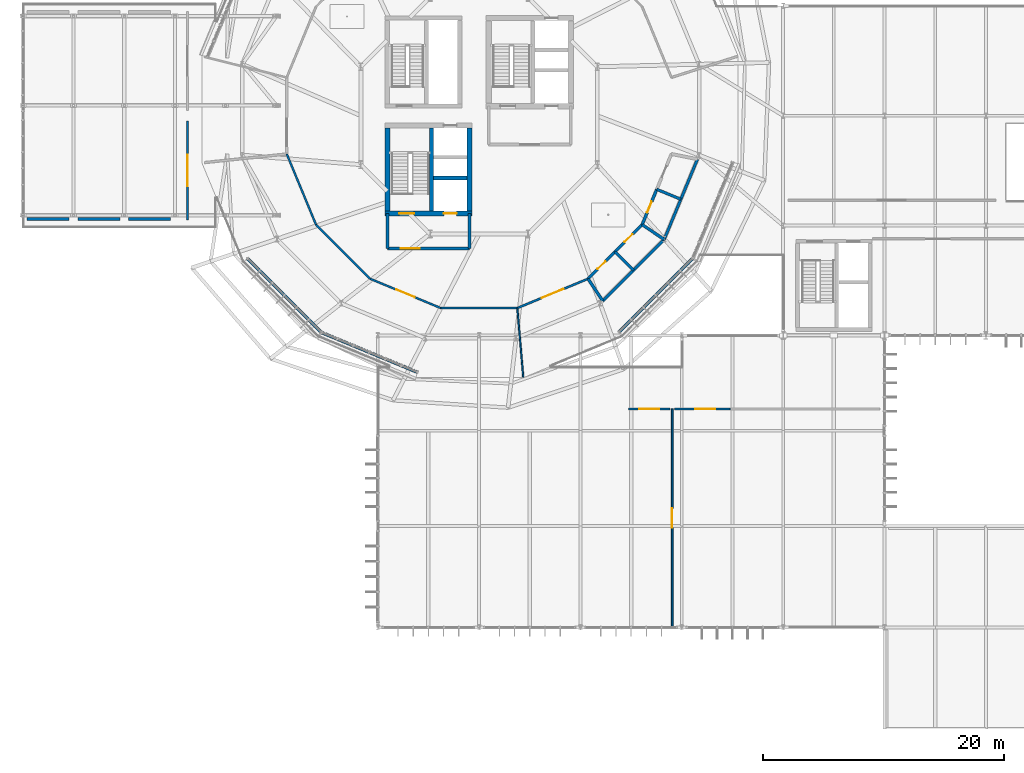
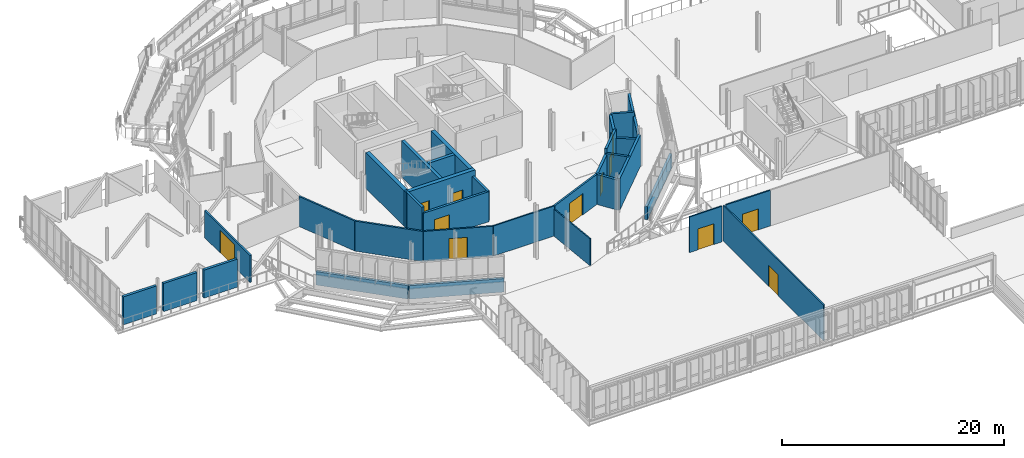
# One storey, part 86 of 107: 33 walls, 12 doors, 12 openings.
"""IFC4 building model written with IfcOpenShell, lengths in metres."""

from ifc_helpers import new_model, si_unit, derived_unit, direction, frame, frame_2d, origin, place, context, subcontext, project, spatial, rectangle, extrude, material, layer, layer_set, type_object, element, fill, save


model = new_model("IFC4")

# Units and contexts
model_context = context("Model", 3, precision=1e-05, world=origin(), true_north=direction((0.0, 1.0)))
body_context = subcontext(model_context, "Body", "Model", "MODEL_VIEW")
ifc_project = project(units=[si_unit("LENGTHUNIT", "METRE"), si_unit("AREAUNIT", "SQUARE_METRE"), si_unit("VOLUMEUNIT", "CUBIC_METRE"), si_unit("PLANEANGLEUNIT", "RADIAN"), si_unit("MASSUNIT", "GRAM", prefix="KILO"), derived_unit("THERMALTRANSMITTANCEUNIT", [(si_unit("MASSUNIT", "GRAM", prefix="KILO"), 1), (si_unit("TIMEUNIT", "SECOND"), -3), (si_unit("THERMODYNAMICTEMPERATUREUNIT", "KELVIN"), -1)])], contexts=[model_context])

# Site, building, storey
site_placement = place(None, origin())
site = spatial("IfcSite", under=ifc_project, at=site_placement, CompositionType="ELEMENT")
building_placement = place(site_placement, origin())
building = spatial("IfcBuilding", under=site, at=building_placement, Name="Makaiwela Harbour Ferry Terminal", CompositionType="ELEMENT")
storey_placement = place(building_placement, frame((0.0, 0.0, 9.60009765625)))
storey = spatial("IfcBuildingStorey", under=building, at=storey_placement, Name="L02", CompositionType="ELEMENT", Elevation=9.60009765625)

# Walls
ifc_material_1 = material(Name="Precast concrete f'c 40 MPa (6000 psi)", Category="concrete")
ifc_layer_1 = layer(ifc_material_1, 0.260009765625)
ifc_layer_set_1 = layer_set([ifc_layer_1], Name="Precast concrete f'c 40 MPa (6000 psi)")
wall_type_1 = type_object("IfcWallType", Name="ENV-WL-EXT260", PredefinedType="SOLIDWALL", material=ifc_layer_set_1)
wall_1_placement = place(storey_placement, frame((18.612548828125, 55.755126953125, 0.0), z_axis=(0.0, 0.0, 1.0), x_axis=(0.707106781187, -0.707106781187, 0.0)))
element("IfcWall", 1, at=wall_1_placement, inside=storey, type_object=wall_type_1, Name="Drum Spandrel Backup Wall EW-L02-09", PredefinedType="SOLIDWALL", context=body_context, shape_type="SweptSolid", body=[
    extrude(rectangle(XDim=8.60205078125, YDim=0.260009765625, at=frame_2d((4.301025390625, 0.0))), origin(), (0.0, 0.0, 1.0), 1.47998046875),
])
wall_2_placement = place(storey_placement, frame((24.743896484375, 49.639892578125, 0.0), z_axis=(0.0, 0.0, 1.0), x_axis=(0.923888503811, -0.382661773013, 0.0)))
element("IfcWall", 2, at=wall_2_placement, inside=storey, type_object=wall_type_1, Name="Drum Spandrel Backup Wall EW-L02-10", PredefinedType="SOLIDWALL", context=body_context, shape_type="SweptSolid", body=[
    extrude(rectangle(XDim=8.602294921875, YDim=0.260009765625, at=frame_2d((4.30126953125, 0.0))), origin(), (0.0, 0.0, 1.0), 1.47998046875),
])
wall_3_placement = place(storey_placement, frame((49.40478515625, 49.672607421875, 0.0), z_axis=(0.0, 0.0, 1.0), x_axis=(0.707106781187, 0.707106781187, 0.0)))
element("IfcWall", 3, at=wall_3_placement, inside=storey, type_object=wall_type_1, Name="Drum Spandrel Backup Wall EW-L02-13", PredefinedType="SOLIDWALL", context=body_context, shape_type="SweptSolid", body=[
    extrude(rectangle(XDim=8.60205078125, YDim=0.260009765625, at=frame_2d((4.301025390625, 0.0))), origin(), (0.0, 0.0, 1.0), 1.47998046875),
])
for number, where, z_axis, x_axis, name in (
    (4, (12.239990234375, 59.030029296875, 0.0), (0.0, 0.0, 1.0), (-1.0, 0.0, 0.0), "Exterior Wall EW-093"),
    (5, (8.0400390625, 59.030029296875, 0.0), (0.0, 0.0, 1.0), (-1.0, 0.0, 0.0), "Exterior Wall EW-097"),
    (6, (3.840087890625, 59.030029296875, 0.0), (0.0, 0.0, 1.0), (-1.0, 0.0, 0.0), "Exterior Wall EW-101"),
):
    element("IfcWall", number, at=place(storey_placement, frame(where, z_axis=z_axis, x_axis=x_axis)), inside=storey, type_object=wall_type_1, Name=name, PredefinedType="SOLIDWALL", context=body_context, shape_type="SweptSolid", body=[
        extrude(rectangle(XDim=3.47998046875, YDim=0.260009765625, at=frame_2d((1.739990234375, 0.0))), origin(), (0.0, 0.0, 1.0), 3.083984375),
    ])
ifc_material_2 = material(Name="Fire-rated gypsum board on steel studs", Category="steel")
ifc_layer_2 = layer(ifc_material_2, 0.1650390625)
ifc_layer_set_2 = layer_set([ifc_layer_2], Name="Fire-rated gypsum board on steel studs")
wall_type_2 = type_object("IfcWallType", Name="INT-WL-FIR165", PredefinedType="PARTITIONING", material=ifc_layer_set_2)
wall_4_placement = place(storey_placement, frame((21.8623046875, 64.4296875, 0.0), z_axis=(0.0, 0.0, 1.0), x_axis=(0.382676004295, -0.923882609284, 0.0)))
element("IfcWall", 7, at=wall_4_placement, inside=storey, type_object=wall_type_2, Name="Interior Wall IW-0305", PredefinedType="PARTITIONING", context=body_context, shape_type="SweptSolid", body=[
    extrude(rectangle(XDim=6.34033203125, YDim=0.1650390625, at=frame_2d((3.170166015625, 0.0))), origin(), (0.0, 0.0, 1.0), 3.303955078125),
])

# Wall, opening, door
wall_5_placement = place(storey_placement, frame((28.77197265625, 54.088623046875, 0.0), z_axis=(0.0, 0.0, 1.0), x_axis=(0.92387463456, -0.382695256851, 0.0)))
wall_5 = element("IfcWall", 8, at=wall_5_placement, inside=storey, type_object=wall_type_2, Name="Interior Wall IW-0307", PredefinedType="PARTITIONING", context=body_context, shape_type="SweptSolid", body=[
    extrude(rectangle(XDim=6.340576171875, YDim=0.1650390625, at=frame_2d((3.17041015625, 0.0))), origin(), (0.0, 0.0, 1.0), 3.303955078125),
])
opening_1_placement = place(wall_5_placement, frame((2.34521484375, 0.0, 0.0)))
opening_1 = element("IfcOpeningElement", 9, at=opening_1_placement, cuts=wall_5, Name="Opening D-17", PredefinedType="OPENING", context=body_context, shape_type="SweptSolid", body=[
    extrude(rectangle(XDim=1.64990234375, YDim=2.300048828125, at=frame_2d((0.824951171875, 1.14990234375))), frame((0.0, 0.092529296875, 0.0), z_axis=(0.0, -1.0, 0.0), x_axis=(1.0, 0.0, 0.0)), (0.0, 0.0, 1.0), 0.18505859375),
])
ifc_material_3 = material(Name="Solid-core marine hardwood and painted steel frame", Category="steel")
door_type_1 = type_object("IfcDoorType", Name="INT-DR-DIN165", OperationType="NOTDEFINED", PredefinedType="DOOR", material=ifc_material_3)
door_1_placement = place(opening_1_placement, frame((1.64990234375, 0.0, 0.0), z_axis=(0.0, 0.0, 1.0), x_axis=(-1.0, 0.0, 0.0)))
door_1 = element("IfcDoor", 10, at=door_1_placement, inside=storey, type_object=door_type_1, Name="Door D-17", OperationType="DOUBLE_DOOR_SINGLE_SWING", OverallHeight=2.300048828125, OverallWidth=1.64990234375, PredefinedType="DOOR", context=body_context, shape_type="SweptSolid", body=[
    extrude(rectangle(XDim=1.64990234375, YDim=2.300048828125, at=frame_2d((0.824951171875, 1.14990234375))), frame((0.0, 0.02490234375, 0.0), z_axis=(0.0, -1.0, 0.0), x_axis=(1.0, 0.0, 0.0)), (0.0, 0.0, 1.0), 0.050048828125),
])
fill(opening_1, door_1)

ifc_layer_3 = layer(ifc_material_2, 0.179931640625)
ifc_layer_set_3 = layer_set([ifc_layer_3], Name="Fire-rated gypsum board on steel studs")
wall_type_3 = type_object("IfcWallType", Name="INT-WL-FIR180", PredefinedType="PARTITIONING", material=ifc_layer_set_3)
wall_6_placement = place(storey_placement, frame((13.64990234375, 67.14990234375, 0.0), z_axis=(0.0, 0.0, 1.0), x_axis=(0.0, -1.0, 0.0)))
wall_6 = element("IfcWall", 11, at=wall_6_placement, inside=storey, type_object=wall_type_3, Name="Interior Wall IW-0234", PredefinedType="PARTITIONING", context=body_context, shape_type="SweptSolid", body=[
    extrude(rectangle(XDim=8.199951171875, YDim=0.179931640625, at=frame_2d((4.10009765625, 0.0))), origin(), (0.0, 0.0, 1.0), 2.969970703125),
])
opening_2_placement = place(wall_6_placement, frame((2.800048828125, 0.0, 0.0)))
opening_2 = element("IfcOpeningElement", 12, at=opening_2_placement, cuts=wall_6, Name="Opening BG-03", PredefinedType="OPENING", context=body_context, shape_type="SweptSolid", body=[
    extrude(rectangle(XDim=2.60009765625, YDim=2.5, at=frame_2d((1.300048828125, 1.25))), frame((0.0, 0.099853515625, 0.0), z_axis=(0.0, -1.0, 0.0), x_axis=(1.0, 0.0, 0.0)), (0.0, 0.0, 1.0), 0.199951171875),
])
ifc_material_4 = material(Name="Marine anodised aluminium 6063-T6", Category="aluminium")
door_type_2 = type_object("IfcDoorType", Name="ENV-GT-BRD03", OperationType="NOTDEFINED", PredefinedType="GATE", material=ifc_material_4)
door_2_placement = place(opening_2_placement, origin())
door_2 = element("IfcDoor", 13, at=door_2_placement, inside=storey, type_object=door_type_2, Name="Door BG-03", OperationType="DOUBLE_DOOR_SLIDING", OverallHeight=2.5, OverallWidth=2.60009765625, PredefinedType="GATE", context=body_context, shape_type="SweptSolid", body=[
    extrude(rectangle(XDim=2.60009765625, YDim=2.5, at=frame_2d((1.300048828125, 1.25))), frame((0.0, 0.02490234375, 0.0), z_axis=(0.0, -1.0, 0.0), x_axis=(1.0, 0.0, 0.0)), (0.0, 0.0, 1.0), 0.050048828125),
])
fill(opening_2, door_2)

# Wall
wall_7_placement = place(storey_placement, frame((24.28857421875, 58.572021484375, 0.0), z_axis=(0.0, 0.0, 1.0), x_axis=(0.707106781187, -0.707106781187, 0.0)))
element("IfcWall", 14, at=wall_7_placement, inside=storey, type_object=wall_type_3, Name="Interior Wall IW-0306", PredefinedType="PARTITIONING", context=body_context, shape_type="SweptSolid", body=[
    extrude(rectangle(XDim=6.340576171875, YDim=0.179931640625, at=frame_2d((3.17041015625, 0.0))), origin(), (0.0, 0.0, 1.0), 3.303955078125),
])

# Wall, opening, door
wall_8_placement = place(storey_placement, frame((40.97021484375, 51.662109375, 0.0), z_axis=(0.0, 0.0, 1.0), x_axis=(0.923868995071, 0.382708871005, 0.0)))
wall_8 = element("IfcWall", 15, at=wall_8_placement, inside=storey, type_object=wall_type_3, Name="Interior Wall IW-0309", PredefinedType="PARTITIONING", context=body_context, shape_type="SweptSolid", body=[
    extrude(rectangle(XDim=6.34033203125, YDim=0.179931640625, at=frame_2d((3.170166015625, 0.0))), origin(), (0.0, 0.0, 1.0), 3.303955078125),
])
opening_3_placement = place(wall_8_placement, frame((2.1953125, 0.0, 0.0)))
opening_3 = element("IfcOpeningElement", 16, at=opening_3_placement, cuts=wall_8, Name="Opening D-19", PredefinedType="OPENING", context=body_context, shape_type="SweptSolid", body=[
    extrude(rectangle(XDim=1.949951171875, YDim=2.35009765625, at=frame_2d((0.97509765625, 1.175048828125))), frame((0.0, 0.099853515625, 0.0), z_axis=(0.0, -1.0, 0.0), x_axis=(1.0, 0.0, 0.0)), (0.0, 0.0, 1.0), 0.199951171875),
])
door_type_3 = type_object("IfcDoorType", Name="INT-DR-RET195", OperationType="NOTDEFINED", PredefinedType="DOOR", material=ifc_material_3)
door_3_placement = place(opening_3_placement, frame((1.949951171875, 0.0, 0.0), z_axis=(0.0, 0.0, 1.0), x_axis=(-1.0, 0.0, 0.0)))
door_3 = element("IfcDoor", 17, at=door_3_placement, inside=storey, type_object=door_type_3, Name="Door D-19", OperationType="DOUBLE_DOOR_SINGLE_SWING", OverallHeight=2.35009765625, OverallWidth=1.949951171875, PredefinedType="DOOR", context=body_context, shape_type="SweptSolid", body=[
    extrude(rectangle(XDim=1.949951171875, YDim=2.35009765625, at=frame_2d((0.97509765625, 1.175048828125))), frame((0.0, 0.02490234375, 0.0), z_axis=(0.0, -1.0, 0.0), x_axis=(1.0, 0.0, 0.0)), (0.0, 0.0, 1.0), 0.050048828125),
])
fill(opening_3, door_3)

ifc_layer_4 = layer(ifc_material_2, 0.239990234375)
ifc_layer_set_4 = layer_set([ifc_layer_4], Name="Fire-rated gypsum board on steel studs")
wall_type_4 = type_object("IfcWallType", Name="INT-WL-FIR240", PredefinedType="SOLIDWALL", material=ifc_layer_set_4)
wall_9_placement = place(storey_placement, frame((30.199951171875, 56.60009765625, 0.0), z_axis=(0.0, 0.0, 1.0), x_axis=(1.0, 0.0, 0.0)))
wall_9 = element("IfcWall", 18, at=wall_9_placement, inside=storey, type_object=wall_type_4, Name="Interior Wall IW-0085", PredefinedType="SOLIDWALL", context=body_context, shape_type="SweptSolid", body=[
    extrude(rectangle(XDim=6.800048828125, YDim=0.239990234375, at=frame_2d((3.39990234375, 0.0))), origin(), (0.0, 0.0, 1.0), 3.303955078125),
])
opening_4_placement = place(wall_9_placement, frame((1.10400390625, 0.0, 0.0)))
opening_4 = element("IfcOpeningElement", 19, at=opening_4_placement, cuts=wall_9, Name="Opening D-03", PredefinedType="OPENING", context=body_context, shape_type="SweptSolid", body=[
    extrude(rectangle(XDim=1.60009765625, YDim=2.199951171875, at=frame_2d((0.800048828125, 1.10009765625))), frame((0.0, 0.1298828125, 0.0), z_axis=(0.0, -1.0, 0.0), x_axis=(1.0, 0.0, 0.0)), (0.0, 0.0, 1.0), 0.260009765625),
])
ifc_material_5 = material(Name="Insulated galvanised fire-rated steel leaf and frame", Category="steel")
door_type_4 = type_object("IfcDoorType", Name="INT-DR-FFL160", OperationType="NOTDEFINED", PredefinedType="DOOR", material=ifc_material_5)
door_4_placement = place(opening_4_placement, frame((1.60009765625, 0.0, 0.0), z_axis=(0.0, 0.0, 1.0), x_axis=(-1.0, 0.0, 0.0)))
door_4 = element("IfcDoor", 20, at=door_4_placement, inside=storey, type_object=door_type_4, Name="Door D-03", OperationType="DOUBLE_DOOR_SINGLE_SWING", OverallHeight=2.199951171875, OverallWidth=1.60009765625, PredefinedType="DOOR", context=body_context, shape_type="SweptSolid", body=[
    extrude(rectangle(XDim=1.60009765625, YDim=2.199951171875, at=frame_2d((0.800048828125, 1.10009765625))), frame((0.0, 0.02490234375, 0.0), z_axis=(0.0, -1.0, 0.0), x_axis=(1.0, 0.0, 0.0)), (0.0, 0.0, 1.0), 0.050048828125),
])
fill(opening_4, door_4)

# Walls
wall_10_placement = place(storey_placement, frame((30.199951171875, 59.5, 0.0), z_axis=(0.0, 0.0, 1.0), x_axis=(0.0, -1.0, 0.0)))
element("IfcWall", 21, at=wall_10_placement, inside=storey, type_object=wall_type_4, Name="Interior Wall IW-0086", PredefinedType="SOLIDWALL", context=body_context, shape_type="SweptSolid", body=[
    extrude(rectangle(XDim=2.89990234375, YDim=0.239990234375, at=frame_2d((1.449951171875, 0.0))), origin(), (0.0, 0.0, 1.0), 3.919921875),
])
wall_11_placement = place(storey_placement, frame((37.0, 56.60009765625, 0.0), z_axis=(0.0, 0.0, 1.0), x_axis=(0.0, 1.0, 0.0)))
element("IfcWall", 22, at=wall_11_placement, inside=storey, type_object=wall_type_4, Name="Interior Wall IW-0087", PredefinedType="SOLIDWALL", context=body_context, shape_type="SweptSolid", body=[
    extrude(rectangle(XDim=2.89990234375, YDim=0.239990234375, at=frame_2d((1.449951171875, 0.0))), origin(), (0.0, 0.0, 1.0), 3.303955078125),
])

# Wall, opening, door
ifc_material_6 = material(Name="Moisture-resistant acoustic gypsum partition", Category="gypsum")
ifc_layer_5 = layer(ifc_material_6, 0.22998046875)
ifc_layer_set_5 = layer_set([ifc_layer_5], Name="Moisture-resistant acoustic gypsum partition")
wall_type_5 = type_object("IfcWallType", Name="INT-WL-PLM230", PredefinedType="PLUMBINGWALL", material=ifc_layer_set_5)
wall_12_placement = place(storey_placement, frame((49.069580078125, 56.330322265625, 0.0), z_axis=(0.0, 0.0, 1.0), x_axis=(0.707106781187, 0.707106781187, 0.0)))
wall_12 = element("IfcWall", 23, at=wall_12_placement, inside=storey, type_object=wall_type_5, Name="Interior Wall IW-0311", PredefinedType="PLUMBINGWALL", context=body_context, shape_type="SweptSolid", body=[
    extrude(rectangle(XDim=3.170166015625, YDim=0.22998046875, at=frame_2d((1.5849609375, 0.0))), origin(), (0.0, 0.0, 1.0), 3.919921875),
])
opening_5_placement = place(wall_12_placement, frame((1.125, 0.0, 0.0)))
opening_5 = element("IfcOpeningElement", 24, at=opening_5_placement, cuts=wall_12, Name="Opening D-11", PredefinedType="OPENING", context=body_context, shape_type="SweptSolid", body=[
    extrude(rectangle(XDim=0.919921875, YDim=2.10009765625, at=frame_2d((0.4599609375, 1.050048828125))), frame((0.0, 0.125, 0.0), z_axis=(0.0, -1.0, 0.0), x_axis=(1.0, 0.0, 0.0)), (0.0, 0.0, 1.0), 0.25),
])
door_type_5 = type_object("IfcDoorType", Name="INT-DR-WC092", OperationType="NOTDEFINED", PredefinedType="DOOR", material=ifc_material_3)
door_5_placement = place(opening_5_placement, frame((0.919921875, 0.0, 0.0), z_axis=(0.0, 0.0, 1.0), x_axis=(-1.0, 0.0, 0.0)))
door_5 = element("IfcDoor", 25, at=door_5_placement, inside=storey, type_object=door_type_5, Name="Door D-11", OperationType="SINGLE_SWING_LEFT", OverallHeight=2.10009765625, OverallWidth=0.919921875, PredefinedType="DOOR", context=body_context, shape_type="SweptSolid", body=[
    extrude(rectangle(XDim=0.919921875, YDim=2.10009765625, at=frame_2d((0.4599609375, 1.050048828125))), frame((0.0, 0.02490234375, 0.0), z_axis=(0.0, -1.0, 0.0), x_axis=(1.0, 0.0, 0.0)), (0.0, 0.0, 1.0), 0.050048828125),
])
fill(opening_5, door_5)

# Walls
wall_13_placement = place(storey_placement, frame((49.069580078125, 56.330322265625, 0.0), z_axis=(0.0, 0.0, 1.0), x_axis=(0.707106781187, -0.707106781187, 0.0)))
element("IfcWall", 26, at=wall_13_placement, inside=storey, type_object=wall_type_5, Name="Interior Wall IW-0313", PredefinedType="PLUMBINGWALL", context=body_context, shape_type="SweptSolid", body=[
    extrude(rectangle(XDim=2.157958984375, YDim=0.22998046875, at=frame_2d((1.0791015625, 0.0))), origin(), (0.0, 0.0, 1.0), 3.44384765625),
])
wall_14_placement = place(storey_placement, frame((53.140625, 57.349609375, 0.0), z_axis=(0.0, 0.0, 1.0), x_axis=(0.382683262556, 0.923879602849, 0.0)))
element("IfcWall", 27, at=wall_14_placement, inside=storey, type_object=wall_type_5, Name="Interior Wall IW-0317", PredefinedType="PLUMBINGWALL", context=body_context, shape_type="SweptSolid", body=[
    extrude(rectangle(XDim=7.198974609375, YDim=0.22998046875, at=frame_2d((3.599609375, 0.0))), origin(), (0.0, 0.0, 1.0), 2.969970703125),
])
wall_15_placement = place(storey_placement, frame((52.524658203125, 61.5009765625, 0.0), z_axis=(0.0, 0.0, 1.0), x_axis=(0.923881682241, -0.382678242417, 0.0)))
element("IfcWall", 28, at=wall_15_placement, inside=storey, type_object=wall_type_5, Name="Interior Wall IW-0318", PredefinedType="PLUMBINGWALL", context=body_context, shape_type="SweptSolid", body=[
    extrude(rectangle(XDim=2.15771484375, YDim=0.22998046875, at=frame_2d((1.078857421875, 0.0))), origin(), (0.0, 0.0, 1.0), 3.44384765625),
])

# Wall, opening, door
ifc_layer_6 = layer(ifc_material_6, 0.25)
ifc_layer_set_6 = layer_set([ifc_layer_6], Name="Moisture-resistant acoustic gypsum partition")
wall_type_6 = type_object("IfcWallType", Name="INT-WL-PLM250", PredefinedType="PLUMBINGWALL", material=ifc_layer_set_6)
wall_16_placement = place(storey_placement, frame((46.827880859375, 54.088623046875, 0.0), z_axis=(0.0, 0.0, 1.0), x_axis=(0.707106781187, 0.707106781187, 0.0)))
wall_16 = element("IfcWall", 29, at=wall_16_placement, inside=storey, type_object=wall_type_6, Name="Interior Wall IW-0310", PredefinedType="PLUMBINGWALL", context=body_context, shape_type="SweptSolid", body=[
    extrude(rectangle(XDim=3.170166015625, YDim=0.25, at=frame_2d((1.5849609375, 0.0))), origin(), (0.0, 0.0, 1.0), 3.303955078125),
])
opening_6_placement = place(wall_16_placement, frame((1.125, 0.0, 0.0)))
opening_6 = element("IfcOpeningElement", 30, at=opening_6_placement, cuts=wall_16, Name="Opening D-11", PredefinedType="OPENING", context=body_context, shape_type="SweptSolid", body=[
    extrude(rectangle(XDim=0.919921875, YDim=2.10009765625, at=frame_2d((0.4599609375, 1.050048828125))), frame((0.0, 0.135009765625, 0.0), z_axis=(0.0, -1.0, 0.0), x_axis=(1.0, 0.0, 0.0)), (0.0, 0.0, 1.0), 0.27001953125),
])
door_6_placement = place(opening_6_placement, frame((0.919921875, 0.0, 0.0), z_axis=(0.0, 0.0, 1.0), x_axis=(-1.0, 0.0, 0.0)))
door_6 = element("IfcDoor", 31, at=door_6_placement, inside=storey, type_object=door_type_5, Name="Door D-11", OperationType="SINGLE_SWING_RIGHT", OverallHeight=2.10009765625, OverallWidth=0.919921875, PredefinedType="DOOR", context=body_context, shape_type="SweptSolid", body=[
    extrude(rectangle(XDim=0.919921875, YDim=2.10009765625, at=frame_2d((0.4599609375, 1.050048828125))), frame((0.0, 0.02490234375, 0.0), z_axis=(0.0, -1.0, 0.0), x_axis=(1.0, 0.0, 0.0)), (0.0, 0.0, 1.0), 0.050048828125),
])
fill(opening_6, door_6)

# Walls
wall_17_placement = place(storey_placement, frame((48.05029296875, 52.259521484375, 0.0), z_axis=(0.0, 0.0, 1.0), x_axis=(0.707123738387, 0.707089823579, 0.0)))
element("IfcWall", 32, at=wall_17_placement, inside=storey, type_object=wall_type_6, Name="Interior Wall IW-0312", PredefinedType="PLUMBINGWALL", context=body_context, shape_type="SweptSolid", body=[
    extrude(rectangle(XDim=7.19873046875, YDim=0.25, at=frame_2d((3.599365234375, 0.0))), origin(), (0.0, 0.0, 1.0), 3.44384765625),
])
wall_18_placement = place(storey_placement, frame((46.827880859375, 54.088623046875, 0.0), z_axis=(0.0, 0.0, 1.0), x_axis=(0.555647384729, -0.831418056, 0.0)))
element("IfcWall", 33, at=wall_18_placement, inside=storey, type_object=wall_type_6, Name="Interior Wall IW-0314", PredefinedType="PLUMBINGWALL", context=body_context, shape_type="SweptSolid", body=[
    extrude(rectangle(XDim=2.199951171875, YDim=0.25, at=frame_2d((1.10009765625, 0.0))), origin(), (0.0, 0.0, 1.0), 3.303955078125),
])

# Wall, opening, door
wall_19_placement = place(storey_placement, frame((51.311279296875, 58.572021484375, 0.0), z_axis=(0.0, 0.0, 1.0), x_axis=(0.38272812134, 0.923861020466, 0.0)))
wall_19 = element("IfcWall", 34, at=wall_19_placement, inside=storey, type_object=wall_type_6, Name="Interior Wall IW-0315", PredefinedType="PLUMBINGWALL", context=body_context, shape_type="SweptSolid", body=[
    extrude(rectangle(XDim=3.17041015625, YDim=0.25, at=frame_2d((1.585205078125, 0.0))), origin(), (0.0, 0.0, 1.0), 3.303955078125),
])
opening_7_placement = place(wall_19_placement, frame((1.09521484375, 0.0, 0.0)))
opening_7 = element("IfcOpeningElement", 35, at=opening_7_placement, cuts=wall_19, Name="Opening D-12", PredefinedType="OPENING", context=body_context, shape_type="SweptSolid", body=[
    extrude(rectangle(XDim=0.97998046875, YDim=2.14990234375, at=frame_2d((0.489990234375, 1.074951171875))), frame((0.0, 0.135009765625, 0.0), z_axis=(0.0, -1.0, 0.0), x_axis=(1.0, 0.0, 0.0)), (0.0, 0.0, 1.0), 0.27001953125),
])
door_type_6 = type_object("IfcDoorType", Name="INT-DR-WC098", OperationType="NOTDEFINED", PredefinedType="DOOR", material=ifc_material_3)
door_7_placement = place(opening_7_placement, frame((0.97998046875, 0.0, 0.0), z_axis=(0.0, 0.0, 1.0), x_axis=(-1.0, 0.0, 0.0)))
door_7 = element("IfcDoor", 36, at=door_7_placement, inside=storey, type_object=door_type_6, Name="Door D-12", OperationType="SINGLE_SWING_RIGHT", OverallHeight=2.14990234375, OverallWidth=0.97998046875, PredefinedType="DOOR", context=body_context, shape_type="SweptSolid", body=[
    extrude(rectangle(XDim=0.97998046875, YDim=2.14990234375, at=frame_2d((0.489990234375, 1.074951171875))), frame((0.0, 0.02490234375, 0.0), z_axis=(0.0, -1.0, 0.0), x_axis=(1.0, 0.0, 0.0)), (0.0, 0.0, 1.0), 0.050048828125),
])
fill(opening_7, door_7)

# Walls
wall_20_placement = place(storey_placement, frame((51.311279296875, 58.572021484375, 0.0), z_axis=(0.0, 0.0, 1.0), x_axis=(0.831452313852, -0.555596121107, 0.0)))
element("IfcWall", 37, at=wall_20_placement, inside=storey, type_object=wall_type_6, Name="Interior Wall IW-0319", PredefinedType="PLUMBINGWALL", context=body_context, shape_type="SweptSolid", body=[
    extrude(rectangle(XDim=2.2001953125, YDim=0.25, at=frame_2d((1.10009765625, 0.0))), origin(), (0.0, 0.0, 1.0), 2.969970703125),
])
ifc_layer_7 = layer(ifc_material_6, 0.1201171875)
ifc_layer_set_7 = layer_set([ifc_layer_7], Name="Moisture-resistant acoustic gypsum partition")
wall_type_7 = type_object("IfcWallType", Name="INT-WL-PRT120", PredefinedType="PARTITIONING", material=ifc_layer_set_7)
wall_21_placement = place(storey_placement, frame((40.97021484375, 51.662109375, 0.0), z_axis=(0.0, 0.0, 1.0), x_axis=(0.085361391725, -0.996350055353, 0.0)))
element("IfcWall", 38, at=wall_21_placement, inside=storey, type_object=wall_type_7, Name="Interior Wall IW-0326", PredefinedType="PARTITIONING", context=body_context, shape_type="SweptSolid", body=[
    extrude(rectangle(XDim=5.748779296875, YDim=0.1201171875, at=frame_2d((2.87451171875, 0.0))), origin(), (0.0, 0.0, 1.0), 2.969970703125),
])
ifc_layer_8 = layer(ifc_material_6, 0.139892578125)
ifc_layer_set_8 = layer_set([ifc_layer_8], Name="Moisture-resistant acoustic gypsum partition")
wall_type_8 = type_object("IfcWallType", Name="INT-WL-PRT140", PredefinedType="PARTITIONING", material=ifc_layer_set_8)
wall_22_placement = place(storey_placement, frame((34.6298828125, 51.662109375, 0.0), z_axis=(0.0, 0.0, 1.0), x_axis=(1.0, 0.0, 0.0)))
element("IfcWall", 39, at=wall_22_placement, inside=storey, type_object=wall_type_8, Name="Interior Wall IW-0308", PredefinedType="PARTITIONING", context=body_context, shape_type="SweptSolid", body=[
    extrude(rectangle(XDim=6.34033203125, YDim=0.139892578125, at=frame_2d((3.170166015625, 0.0))), origin(), (0.0, 0.0, 1.0), 3.303955078125),
])

# Wall, opening, door
wall_23_placement = place(storey_placement, frame((53.800048828125, 25.239990234375, 0.0), z_axis=(0.0, 0.0, 1.0), x_axis=(0.0, 1.0, 0.0)))
wall_23 = element("IfcWall", 40, at=wall_23_placement, inside=storey, type_object=wall_type_8, Name="Interior Wall IW-0552", PredefinedType="PARTITIONING", context=body_context, shape_type="SweptSolid", body=[
    extrude(rectangle(XDim=18.06005859375, YDim=0.139892578125, at=frame_2d((9.030029296875, 0.0))), origin(), (0.0, 0.0, 1.0), 3.919921875),
])
opening_8_placement = place(wall_23_placement, frame((8.205078125, 0.0, 0.0)))
opening_8 = element("IfcOpeningElement", 41, at=opening_8_placement, cuts=wall_23, Name="Opening D-17", PredefinedType="OPENING", context=body_context, shape_type="SweptSolid", body=[
    extrude(rectangle(XDim=1.64990234375, YDim=2.300048828125, at=frame_2d((0.824951171875, 1.14990234375))), frame((0.0, 0.079833984375, 0.0), z_axis=(0.0, -1.0, 0.0), x_axis=(1.0, 0.0, 0.0)), (0.0, 0.0, 1.0), 0.159912109375),
])
door_8_placement = place(opening_8_placement, origin())
door_8 = element("IfcDoor", 42, at=door_8_placement, inside=storey, type_object=door_type_1, Name="Door D-17", OperationType="DOUBLE_DOOR_SINGLE_SWING", OverallHeight=2.300048828125, OverallWidth=1.64990234375, PredefinedType="DOOR", context=body_context, shape_type="SweptSolid", body=[
    extrude(rectangle(XDim=1.64990234375, YDim=2.300048828125, at=frame_2d((0.824951171875, 1.14990234375))), frame((0.0, 0.02490234375, 0.0), z_axis=(0.0, -1.0, 0.0), x_axis=(1.0, 0.0, 0.0)), (0.0, 0.0, 1.0), 0.050048828125),
])
fill(opening_8, door_8)

wall_24_placement = place(storey_placement, frame((50.199951171875, 43.300048828125, 0.0), z_axis=(0.0, 0.0, 1.0), x_axis=(1.0, 0.0, 0.0)))
wall_24 = element("IfcWall", 43, at=wall_24_placement, inside=storey, type_object=wall_type_8, Name="Interior Wall IW-0553", PredefinedType="PARTITIONING", context=body_context, shape_type="SweptSolid", body=[
    extrude(rectangle(XDim=3.400146484375, YDim=0.139892578125, at=frame_2d((1.7001953125, 0.0))), origin(), (0.0, 0.0, 1.0), 3.919921875),
])
opening_9_placement = place(wall_24_placement, frame((0.875, 0.0, 0.0)))
opening_9 = element("IfcOpeningElement", 44, at=opening_9_placement, cuts=wall_24, Name="Opening D-17", PredefinedType="OPENING", context=body_context, shape_type="SweptSolid", body=[
    extrude(rectangle(XDim=1.64990234375, YDim=2.300048828125, at=frame_2d((0.824951171875, 1.14990234375))), frame((0.0, 0.079833984375, 0.0), z_axis=(0.0, -1.0, 0.0), x_axis=(1.0, 0.0, 0.0)), (0.0, 0.0, 1.0), 0.159912109375),
])
door_9_placement = place(opening_9_placement, origin())
door_9 = element("IfcDoor", 45, at=door_9_placement, inside=storey, type_object=door_type_1, Name="Door D-17", OperationType="DOUBLE_DOOR_SINGLE_SWING", OverallHeight=2.300048828125, OverallWidth=1.64990234375, PredefinedType="DOOR", context=body_context, shape_type="SweptSolid", body=[
    extrude(rectangle(XDim=1.64990234375, YDim=2.300048828125, at=frame_2d((0.824951171875, 1.14990234375))), frame((0.0, 0.02490234375, 0.0), z_axis=(0.0, -1.0, 0.0), x_axis=(1.0, 0.0, 0.0)), (0.0, 0.0, 1.0), 0.050048828125),
])
fill(opening_9, door_9)

wall_25_placement = place(storey_placement, frame((54.0, 43.300048828125, 0.0), z_axis=(0.0, 0.0, 1.0), x_axis=(1.0, 0.0, 0.0)))
wall_25 = element("IfcWall", 46, at=wall_25_placement, inside=storey, type_object=wall_type_8, Name="Interior Wall IW-0554", PredefinedType="PARTITIONING", context=body_context, shape_type="SweptSolid", body=[
    extrude(rectangle(XDim=4.60009765625, YDim=0.139892578125, at=frame_2d((2.300048828125, 0.0))), origin(), (0.0, 0.0, 1.0), 3.919921875),
])
opening_10_placement = place(wall_25_placement, frame((1.705078125, 0.0, 0.0)))
opening_10 = element("IfcOpeningElement", 47, at=opening_10_placement, cuts=wall_25, Name="Opening D-17", PredefinedType="OPENING", context=body_context, shape_type="SweptSolid", body=[
    extrude(rectangle(XDim=1.64990234375, YDim=2.300048828125, at=frame_2d((0.824951171875, 1.14990234375))), frame((0.0, 0.079833984375, 0.0), z_axis=(0.0, -1.0, 0.0), x_axis=(1.0, 0.0, 0.0)), (0.0, 0.0, 1.0), 0.159912109375),
])
door_10_placement = place(opening_10_placement, origin())
door_10 = element("IfcDoor", 48, at=door_10_placement, inside=storey, type_object=door_type_1, Name="Door D-17", OperationType="DOUBLE_DOOR_SINGLE_SWING", OverallHeight=2.300048828125, OverallWidth=1.64990234375, PredefinedType="DOOR", context=body_context, shape_type="SweptSolid", body=[
    extrude(rectangle(XDim=1.64990234375, YDim=2.300048828125, at=frame_2d((0.824951171875, 1.14990234375))), frame((0.0, 0.02490234375, 0.0), z_axis=(0.0, -1.0, 0.0), x_axis=(1.0, 0.0, 0.0)), (0.0, 0.0, 1.0), 0.050048828125),
])
fill(opening_10, door_10)

# Walls
ifc_material_7 = material(Name="Concrete f'c 45 MPa (6500 psi)", Category="concrete")
ifc_layer_9 = layer(ifc_material_7, 0.320068359375)
ifc_layer_set_9 = layer_set([ifc_layer_9], Name="Concrete f'c 45 MPa (6500 psi)")
wall_type_9 = type_object("IfcWallType", Name="INT-WL-SHR320", PredefinedType="SHEAR", material=ifc_layer_set_9)
wall_26_placement = place(storey_placement, frame((33.8720703125, 59.7099609375, 0.0), z_axis=(0.0, 0.0, 1.0), x_axis=(0.0, 1.0, 0.0)))
element("IfcWall", 49, at=wall_26_placement, inside=storey, type_object=wall_type_9, Name="Interior Wall IW-0092", PredefinedType="SHEAR", context=body_context, shape_type="SweptSolid", body=[
    extrude(rectangle(XDim=6.880126953125, YDim=0.320068359375, at=frame_2d((3.43994140625, 0.0))), origin(), (0.0, 0.0, 1.0), 3.919921875),
])
wall_27_placement = place(storey_placement, frame((34.037109375, 62.43994140625, 0.0), z_axis=(0.0, 0.0, 1.0), x_axis=(1.0, 0.0, 0.0)))
element("IfcWall", 50, at=wall_27_placement, inside=storey, type_object=wall_type_9, Name="Interior Wall IW-0093", PredefinedType="SHEAR", context=body_context, shape_type="SweptSolid", body=[
    extrude(rectangle(XDim=2.7578125, YDim=0.320068359375, at=frame_2d((1.37890625, 0.0))), origin(), (0.0, 0.0, 1.0), 3.919921875),
])

# Wall, openings, doors
ifc_layer_10 = layer(ifc_material_7, 0.39990234375)
ifc_layer_set_10 = layer_set([ifc_layer_10], Name="Concrete f'c 45 MPa (6500 psi)")
wall_type_10 = type_object("IfcWallType", Name="INT-WL-SHR400", PredefinedType="SHEAR", material=ifc_layer_set_10)
wall_28_placement = place(storey_placement, frame((30.0, 59.5, 0.0), z_axis=(0.0, 0.0, 1.0), x_axis=(1.0, 0.0, 0.0)))
wall_28 = element("IfcWall", 51, at=wall_28_placement, inside=storey, type_object=wall_type_10, Name="Interior Wall IW-0088", PredefinedType="SHEAR", context=body_context, shape_type="SweptSolid", body=[
    extrude(rectangle(XDim=7.199951171875, YDim=0.39990234375, at=frame_2d((3.60009765625, 0.0))), origin(), (0.0, 0.0, 1.0), 3.919921875),
])
opening_11_placement = place(wall_28_placement, frame((1.175048828125, 0.0, 0.0)))
opening_11 = element("IfcOpeningElement", 52, at=opening_11_placement, cuts=wall_28, Name="Opening D-02", PredefinedType="OPENING", context=body_context, shape_type="SweptSolid", body=[
    extrude(rectangle(XDim=1.25, YDim=2.199951171875, at=frame_2d((0.625, 1.10009765625))), frame((0.0, 0.2099609375, 0.0), z_axis=(0.0, -1.0, 0.0), x_axis=(1.0, 0.0, 0.0)), (0.0, 0.0, 1.0), 0.419921875),
])
opening_12_placement = place(wall_28_placement, frame((4.890869140625, 0.0, 0.0)))
opening_12 = element("IfcOpeningElement", 53, at=opening_12_placement, cuts=wall_28, Name="Opening LD-01", PredefinedType="OPENING", context=body_context, shape_type="SweptSolid", body=[
    extrude(rectangle(XDim=1.050048828125, YDim=2.14990234375, at=frame_2d((0.52490234375, 1.074951171875))), frame((0.0, 0.2099609375, 0.0), z_axis=(0.0, -1.0, 0.0), x_axis=(1.0, 0.0, 0.0)), (0.0, 0.0, 1.0), 0.419921875),
])
ifc_material_8 = material(Name="Marine grade 316L brushed stainless steel", Category="steel")
door_type_7 = type_object("IfcDoorType", Name="INT-DR-LD105", OperationType="NOTDEFINED", PredefinedType="DOOR", material=ifc_material_8)
door_11_placement = place(opening_12_placement, frame((1.050048828125, 0.0, 0.0), z_axis=(0.0, 0.0, 1.0), x_axis=(-1.0, 0.0, 0.0)))
door_11 = element("IfcDoor", 54, at=door_11_placement, inside=storey, type_object=door_type_7, Name="Door LD-01", OperationType="DOUBLE_DOOR_SLIDING", OverallHeight=2.14990234375, OverallWidth=1.050048828125, PredefinedType="DOOR", context=body_context, shape_type="SweptSolid", body=[
    extrude(rectangle(XDim=1.050048828125, YDim=2.14990234375, at=frame_2d((0.52490234375, 1.074951171875))), frame((0.0, 0.02490234375, 0.0), z_axis=(0.0, -1.0, 0.0), x_axis=(1.0, 0.0, 0.0)), (0.0, 0.0, 1.0), 0.050048828125),
])
fill(opening_12, door_11)
door_type_8 = type_object("IfcDoorType", Name="INT-DR-ST125", OperationType="NOTDEFINED", PredefinedType="DOOR", material=ifc_material_5)
door_12_placement = place(opening_11_placement, frame((1.25, 0.0, 0.0), z_axis=(0.0, 0.0, 1.0), x_axis=(-1.0, 0.0, 0.0)))
door_12 = element("IfcDoor", 55, at=door_12_placement, inside=storey, type_object=door_type_8, Name="Door D-02", OperationType="SINGLE_SWING_LEFT", OverallHeight=2.199951171875, OverallWidth=1.25, PredefinedType="DOOR", context=body_context, shape_type="SweptSolid", body=[
    extrude(rectangle(XDim=1.25, YDim=2.199951171875, at=frame_2d((0.625, 1.10009765625))), frame((0.0, 0.02490234375, 0.0), z_axis=(0.0, -1.0, 0.0), x_axis=(1.0, 0.0, 0.0)), (0.0, 0.0, 1.0), 0.050048828125),
])
fill(opening_11, door_12)

# Walls
for number, where, z_axis, x_axis, name in (
    (56, (30.199951171875, 59.7099609375, 0.0), (0.0, 0.0, 1.0), (0.0, 1.0, 0.0), "Interior Wall IW-0090"),
    (57, (37.0, 59.7099609375, 0.0), (0.0, 0.0, 1.0), (0.0, 1.0, 0.0), "Interior Wall IW-0091"),
):
    element("IfcWall", number, at=place(storey_placement, frame(where, z_axis=z_axis, x_axis=x_axis)), inside=storey, type_object=wall_type_10, Name=name, PredefinedType="SHEAR", context=body_context, shape_type="SweptSolid", body=[
        extrude(rectangle(XDim=6.880126953125, YDim=0.39990234375, at=frame_2d((3.43994140625, 0.0))), origin(), (0.0, 0.0, 1.0), 3.919921875),
    ])

save(model, "model.ifc")
